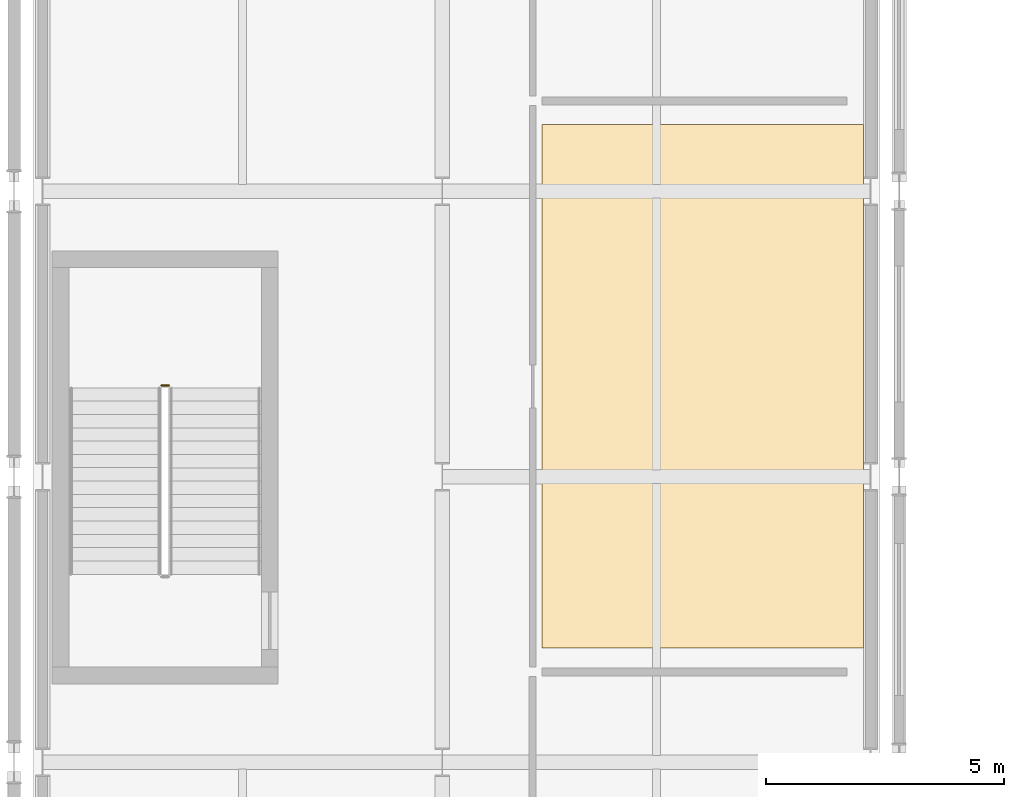
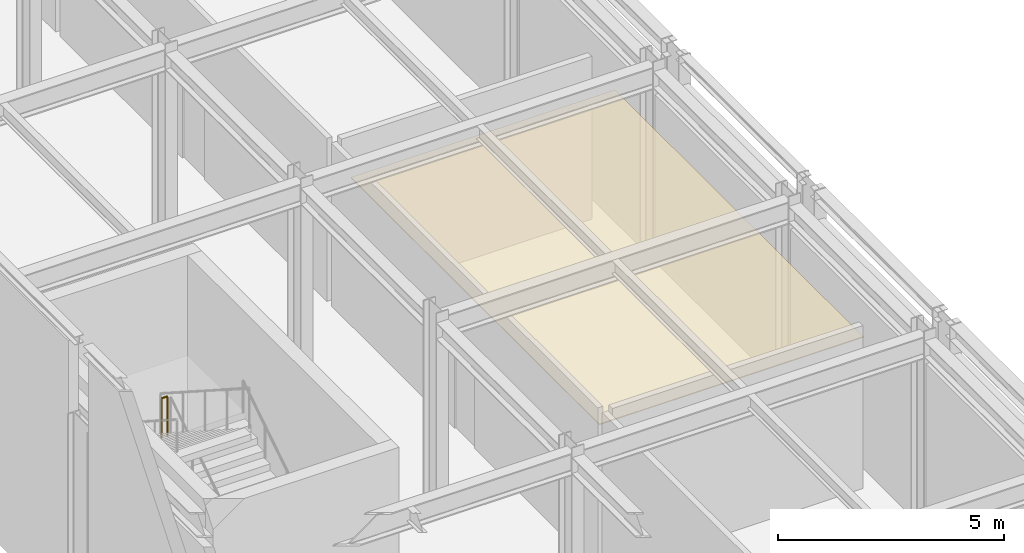
# One storey, part 210 of 210: 1 covering, 1 railing.
"""IFC4 building model written with IfcOpenShell, lengths in metres."""

from ifc_helpers import new_model, si_unit, direction, frame, origin, origin_2d, place, context, subcontext, project, spatial, polyline, circle, outline, extrude, material, layer, layer_set, type_object, element, save


model = new_model("IFC4")

# Units and contexts
model_context = context("Model", 3, precision=1e-05, world=origin(), true_north=direction((0.0, 1.0)))
body_context = subcontext(model_context, "Body", "Model", "MODEL_VIEW")
ifc_project = project(units=[si_unit("LENGTHUNIT", "METRE"), si_unit("AREAUNIT", "SQUARE_METRE"), si_unit("VOLUMEUNIT", "CUBIC_METRE"), si_unit("PLANEANGLEUNIT", "RADIAN"), si_unit("MASSUNIT", "GRAM", prefix="KILO")], contexts=[model_context])

# Site, building, storey
site_placement = place(None, origin())
site = spatial("IfcSite", under=ifc_project, at=site_placement, CompositionType="ELEMENT")
building_placement = place(site_placement, origin())
building = spatial("IfcBuilding", under=site, at=building_placement, Name="Kaldris Quays Convention Centre", CompositionType="ELEMENT")
storey_placement = place(building_placement, frame((0.0, 0.0, 6.0)))
storey = spatial("IfcBuildingStorey", under=building, at=storey_placement, Name="L01", CompositionType="ELEMENT", Elevation=6.0)

# Covering
ifc_material_1 = material(Name="Mineral fibre acoustic ceiling tile", Category="gypsum")
ifc_layer = layer(ifc_material_1, 0.02490234375)
ifc_layer_set = layer_set([ifc_layer], Name="Mineral fibre acoustic ceiling tile")
covering_type = type_object("IfcCoveringType", Name="ACOUSTIC MINERAL CEILING AC01", PredefinedType="CEILING", material=ifc_layer_set)
covering_placement = place(storey_placement, frame((0.0, 0.0, 3.60009765625)))
element("IfcCovering", 1, at=covering_placement, inside=storey, type_object=covering_type, Name="L01 Acoustic Ceiling Sail 2", PredefinedType="CEILING", context=body_context, shape_type="SweptSolid", body=[
    extrude(outline(polyline([(157.10009765625, 76.39990234375), (163.85009765625, 76.39990234375), (163.85009765625, 87.39990234375), (157.10009765625, 87.39990234375), (157.10009765625, 76.39990234375)])), origin(), (0.0, 0.0, 1.0), 0.02490234375),
])

# Railing
ifc_material_2 = material(Name="Steel S355J2", Category="steel")
railing_type = type_object("IfcRailingType", Name="INTERIOR GUARDRAIL GR01", PredefinedType="GUARDRAIL", material=ifc_material_2)
railing_placement = place(storey_placement, frame((149.25, 81.919921875, 2.699951171875)))
element("IfcRailing", 2, at=railing_placement, inside=storey, type_object=railing_type, Name="L01 ST14 Stair Guardrail 2", PredefinedType="GUARDRAIL", context=body_context, shape_type="SweptSolid", body=[
    extrude(circle(Radius=0.02392578125, at=origin_2d()), frame((0.0, 0.0, 1.076171875), z_axis=(-1.0, 0.0, 0.0), x_axis=(0.0, -1.0, 0.0)), (0.0, 0.0, 1.0), 0.14990234375),
    extrude(circle(Radius=0.02099609375, at=origin_2d()), origin(), (0.0, 0.0, 1.0), 1.052001953125),
    extrude(circle(Radius=0.02099609375, at=origin_2d()), frame((-0.14990234375, 0.0, 0.0)), (0.0, 0.0, 1.0), 1.052001953125),
])

save(model, "model.ifc")
